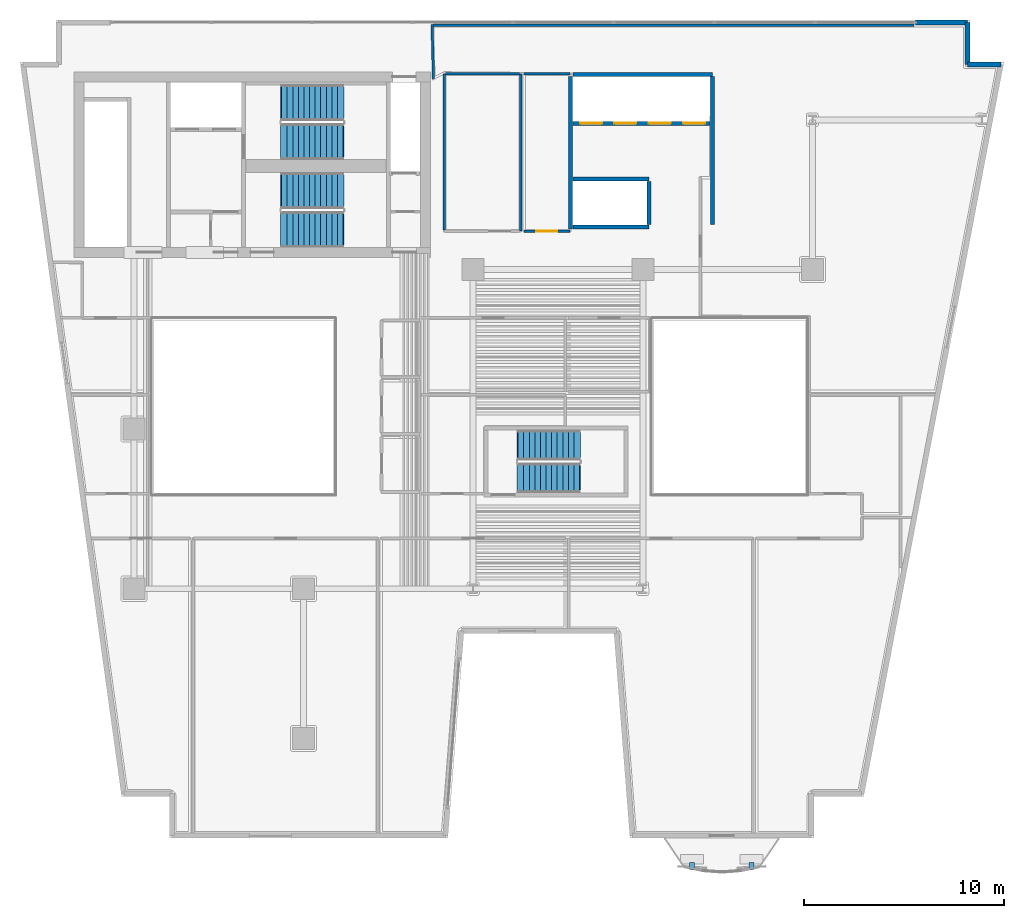
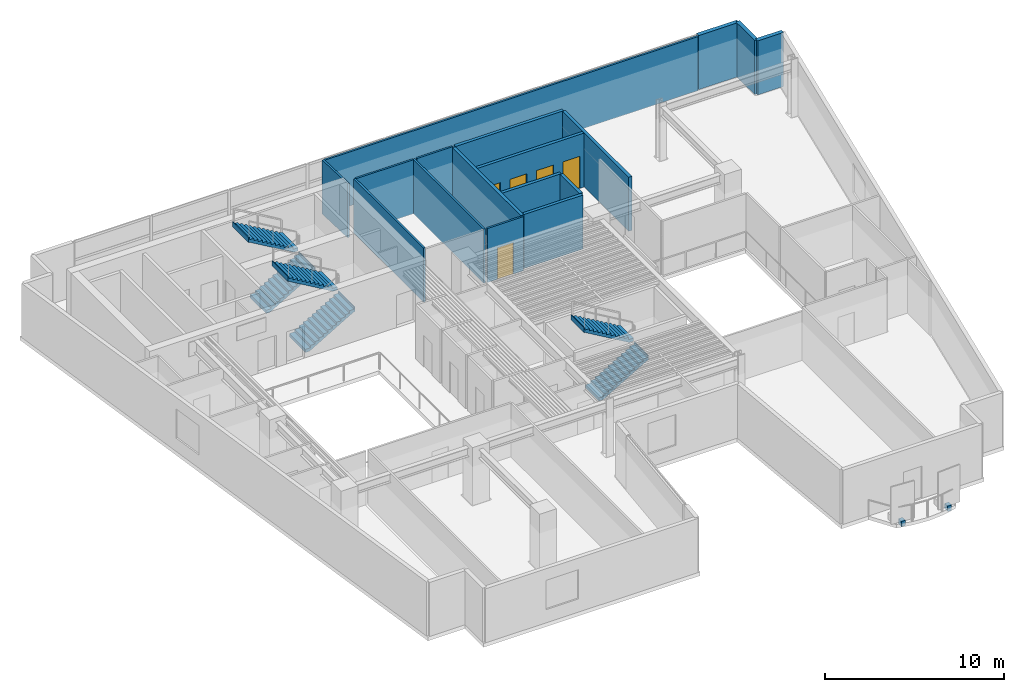
# One storey, part 8 of 13: 17 walls, 6 stair flights, 5 doors, 2 discrete accessories, 5 openings, 3 elements without a shape of their own.
"""IFC4 building model written with IfcOpenShell, lengths in metres."""

import ifcopenshell
import ifcopenshell.guid

model = None  # the IFC model being written
_history = None  # IfcOwnerHistory: only IFC2X3 demands one
_inside = {}  # id of a spatial element -> (the spatial element, [elements in it])
_under = {}  # id of a project, library or spatial element -> (it, [spatial elements below it])
_declared = {}  # id of a project -> (the project, [libraries it declares])
_typed = {}  # id of a type object -> (the type object, [elements of that type])
_made_of = {}  # id of a material, layer set ... -> (it, [elements and type objects made of it])


def new_model(schema):
    """Start an empty IFC model of exactly this schema.

    Asked for "IFC4X3", IfcOpenShell would pick the latest addendum, in which some entities
    have other attributes; the version numbers below select the first issue.
    IFC2X3 requires an IfcOwnerHistory on every rooted entity: one is made here for all.
    """
    global model, _history
    if schema == "IFC4X3":
        model = ifcopenshell.file(schema_version=(4, 3, 0, 0))
    else:
        model = ifcopenshell.file(schema=schema)
    _inside.clear()
    _under.clear()
    _declared.clear()
    _typed.clear()
    _made_of.clear()
    _history = None
    if model.schema == "IFC2X3":
        org = make("IfcOrganization", Name="unknown")
        user = make(
            "IfcPersonAndOrganization",
            ThePerson=make("IfcPerson", FamilyName="unknown"),
            TheOrganization=org,
        )
        app = make(
            "IfcApplication",
            ApplicationDeveloper=org,
            Version="unknown",
            ApplicationFullName="unknown",
            ApplicationIdentifier="unknown",
        )
        _history = make(
            "IfcOwnerHistory",
            OwningUser=user,
            OwningApplication=app,
            ChangeAction="ADDED",
            CreationDate=0,
        )
    return model


def make(cls, **values):
    """One entity of the class cls with the attributes given. An attribute that is None is left unset."""
    return model.create_entity(
        cls, **{name: value for name, value in values.items() if value is not None}
    )


def rooted(cls, **values):
    """An entity with a GlobalId (a new one), such as an element, a storey or a relation."""
    return make(cls, GlobalId=ifcopenshell.guid.new(), OwnerHistory=_history, **values)


def si_unit(unit_type, name, prefix=None):
    """IfcSIUnit, for example si_unit("LENGTHUNIT", "METRE", prefix="MILLI")."""
    return make("IfcSIUnit", UnitType=unit_type, Prefix=prefix, Name=name)


def assignment(units):
    """IfcUnitAssignment: the units of a project."""
    return None if units is None else make("IfcUnitAssignment", Units=units)


def point(xyz):
    """IfcCartesianPoint."""
    return None if xyz is None else make("IfcCartesianPoint", Coordinates=xyz)


def direction(xyz):
    """IfcDirection."""
    return None if xyz is None else make("IfcDirection", DirectionRatios=xyz)


def frame(location, z_axis=None, x_axis=None):
    """IfcAxis2Placement3D, a coordinate frame: its origin and axes. An axis left out is left unset."""
    return make(
        "IfcAxis2Placement3D",
        Location=point(location),
        Axis=direction(z_axis),
        RefDirection=direction(x_axis),
    )


def frame_2d(location, x_axis=None):
    """IfcAxis2Placement2D, a coordinate frame in the plane: its origin and x axis."""
    return make(
        "IfcAxis2Placement2D", Location=point(location), RefDirection=direction(x_axis)
    )


def origin():
    """The frame at (0, 0, 0) with its axes left unset."""
    return frame((0.0, 0.0, 0.0))


def origin_2d():
    """The frame at (0, 0) in the plane with its x axis left unset."""
    return frame_2d((0.0, 0.0))


def place(relative_to, where):
    """IfcLocalPlacement: puts the frame where relative to a parent placement (None: the world)."""
    return make(
        "IfcLocalPlacement", PlacementRelTo=relative_to, RelativePlacement=where
    )


def context(
    kind, dimensions, precision=None, world=None, true_north=None, identifier=None
):
    """IfcGeometricRepresentationContext, for example the 3D "Model" context."""
    return make(
        "IfcGeometricRepresentationContext",
        ContextIdentifier=identifier,
        ContextType=kind,
        CoordinateSpaceDimension=dimensions,
        Precision=precision,
        WorldCoordinateSystem=world,
        TrueNorth=true_north,
    )


def subcontext(parent, identifier, kind, view, scale=None):
    """IfcGeometricRepresentationSubContext, for example "Body" below "Model"."""
    return make(
        "IfcGeometricRepresentationSubContext",
        ContextIdentifier=identifier,
        ContextType=kind,
        ParentContext=parent,
        TargetScale=scale,
        TargetView=view,
    )


def project(units=None, contexts=None):
    """IfcProject with its units and contexts."""
    return rooted(
        "IfcProject",
        Name="project",
        RepresentationContexts=contexts,
        UnitsInContext=assignment(units),
    )


def spatial(cls, under=None, at=None, **own):
    """A site, building, storey or space (cls), placed at a placement, below another one or the project."""
    s = rooted(cls, ObjectPlacement=at, **own)
    if under is not None:
        _under.setdefault(under.id(), (under, []))[1].append(s)
    return s


def polyline(points):
    """IfcPolyline through the points."""
    return make("IfcPolyline", Points=[point(p) for p in points])


def profile(cls, at=None, kind="AREA", **sizes):
    """A parametric profile (cls). Its sizes go by their IFC names, for example OverallWidth=200.0."""
    return make(cls, ProfileType=kind, Position=at, **sizes)


def rectangle(**sizes):
    """IfcRectangleProfileDef."""
    return profile("IfcRectangleProfileDef", **sizes)


def outline(outer, holes=None, kind="AREA"):
    """IfcArbitraryClosedProfileDef: a profile drawn as a closed curve; with holes, ...WithVoids."""
    if holes is None:
        return make("IfcArbitraryClosedProfileDef", ProfileType=kind, OuterCurve=outer)
    return make(
        "IfcArbitraryProfileDefWithVoids",
        ProfileType=kind,
        OuterCurve=outer,
        InnerCurves=holes,
    )


def extrude(swept, where, along, depth):
    """IfcExtrudedAreaSolid: the profile swept, set in the frame where, extruded along a direction by depth."""
    return make(
        "IfcExtrudedAreaSolid",
        SweptArea=swept,
        Position=where,
        ExtrudedDirection=direction(along),
        Depth=depth,
    )


def shape(context_of_items, identifier, shape_type, items):
    """IfcShapeRepresentation: the items that make up one representation, for example the "Body"."""
    return make(
        "IfcShapeRepresentation",
        ContextOfItems=context_of_items,
        RepresentationIdentifier=identifier,
        RepresentationType=shape_type,
        Items=items,
    )


def material(Name=None, Category=None):
    """IfcMaterial."""
    return make("IfcMaterial", Name=Name, Category=Category)


def layer(
    of_material, thickness, ventilated=None, Name=None, Category=None, Priority=None
):
    """IfcMaterialLayer: one layer of a wall or slab, of a material (None: an air gap)."""
    return make(
        "IfcMaterialLayer",
        Material=of_material,
        LayerThickness=thickness,
        IsVentilated=ventilated,
        Name=Name,
        Category=Category,
        Priority=Priority,
    )


def layer_set(layers, Name=None):
    """IfcMaterialLayerSet."""
    return make("IfcMaterialLayerSet", MaterialLayers=layers, LayerSetName=Name)


def made_of(thing, what):
    """Note that an element or type object is made of a material, layer set ...; save() writes the relation."""
    if what is not None:
        _made_of.setdefault(what.id(), (what, []))[1].append(thing)
    return thing


def type_object(cls, material=None, **own):
    """A type object (cls), such as IfcWallType, which elements share."""
    return made_of(rooted(cls, **own), material)


def element(
    cls,
    number,
    at=None,
    inside=None,
    cuts=None,
    type_object=None,
    material=None,
    context=None,
    identifier="Body",
    shape_type=None,
    held_by="IfcProductDefinitionShape",
    body=None,
    shapes=None,
    **own,
):
    """One element of the class cls, such as IfcWall. Its Tag is "e" and its number.

    at: its placement. inside: the storey or other place that contains it. cuts: it is an
    opening in that element (IfcRelVoidsElement). A single representation is given by context,
    identifier, shape_type and body (its items); several are given by shapes. held_by: the class
    of the entity that holds the representations. save() writes the other relations.
    """
    e = rooted(cls, Tag="e%d" % number, ObjectPlacement=at, **own)
    if body is not None:
        shapes = [shape(context, identifier, shape_type, body)]
    if shapes is not None:
        e.Representation = make(held_by, Representations=shapes)
    if inside is not None:
        _inside.setdefault(inside.id(), (inside, []))[1].append(e)
    if cuts is not None:
        rooted(
            "IfcRelVoidsElement", RelatingBuildingElement=cuts, RelatedOpeningElement=e
        )
    if type_object is not None:
        _typed.setdefault(type_object.id(), (type_object, []))[1].append(e)
    return made_of(e, material)


def fill(opening, filler):
    """IfcRelFillsElement: the door or window that sits in an opening."""
    return rooted(
        "IfcRelFillsElement",
        RelatingOpeningElement=opening,
        RelatedBuildingElement=filler,
    )


def aggregate(whole, parts):
    """IfcRelAggregates: a whole, such as a stair, and the parts it consists of."""
    return rooted("IfcRelAggregates", RelatingObject=whole, RelatedObjects=parts)


def save(model, path):
    """Write the relations noted so far, then the file.

    IfcRelAggregates (storeys below a building ...), IfcRelContainedInSpatialStructure (elements
    in a storey), IfcRelDefinesByType, IfcRelAssociatesMaterial and IfcRelDeclares: one each for
    every whole, place, type object, material and project.
    """
    for whole, parts in _under.values():
        aggregate(whole, parts)
    for where, things in _inside.values():
        rooted(
            "IfcRelContainedInSpatialStructure",
            RelatedElements=things,
            RelatingStructure=where,
        )
    for kind, things in _typed.values():
        rooted("IfcRelDefinesByType", RelatedObjects=things, RelatingType=kind)
    for what, things in _made_of.values():
        rooted("IfcRelAssociatesMaterial", RelatedObjects=things, RelatingMaterial=what)
    for by, libraries in _declared.values():
        rooted("IfcRelDeclares", RelatingContext=by, RelatedDefinitions=libraries)
    model.write(path)


model = new_model("IFC4")

# Units and contexts
model_context = context("Model", 3, precision=1e-05, world=origin(), true_north=direction((0.0, 1.0)))
body_context = subcontext(model_context, "Body", "Model", "MODEL_VIEW")
ifc_project = project(units=[si_unit("LENGTHUNIT", "METRE"), si_unit("AREAUNIT", "SQUARE_METRE"), si_unit("VOLUMEUNIT", "CUBIC_METRE"), si_unit("PLANEANGLEUNIT", "RADIAN"), si_unit("MASSUNIT", "GRAM", prefix="KILO")], contexts=[model_context])

# Site, building, storey
site_placement = place(None, origin())
site = spatial("IfcSite", under=ifc_project, at=site_placement, CompositionType="ELEMENT")
building_placement = place(site_placement, origin())
building = spatial("IfcBuilding", under=site, at=building_placement, Name="Caeloran Harvest Quay", CompositionType="ELEMENT")
storey_placement = place(building_placement, frame((0.0, 0.0, 158.800048828125)))
storey = spatial("IfcBuildingStorey", under=building, at=storey_placement, Name="L37", CompositionType="ELEMENT", Elevation=158.800048828125)

# Walls
ifc_material_1 = material(Name="Precast concrete C50/60", Category="concrete")
ifc_layer_1 = layer(ifc_material_1, 0.260009765625, Name="Precast concrete C50/60")
ifc_layer_set_1 = layer_set([ifc_layer_1], Name="Precast concrete C50/60")
wall_type_1 = type_object("IfcWallType", Name="ENV-WALL-EW-260", PredefinedType="STANDARD", material=ifc_layer_set_1)
wall_1_placement = place(storey_placement, frame((47.669921875, 43.3701171875, 0.0), z_axis=(0.0, 0.0, 1.0), x_axis=(1.0, 0.0, 0.0)))
element("IfcWall", 1, at=wall_1_placement, inside=storey, type_object=wall_type_1, Name="L37 Exterior Facade Corner Pier Wall 6B", PredefinedType="STANDARD", context=body_context, shape_type="SweptSolid", body=[
    extrude(rectangle(XDim=2.60009765625, YDim=0.260009765625, at=frame_2d((1.300048828125, 0.0))), origin(), (0.0, 0.0, 1.0), 3.68994140625),
])
wall_2_placement = place(storey_placement, frame((50.27001953125, 43.3701171875, 0.0), z_axis=(0.0, 0.0, 1.0), x_axis=(0.0, -1.0, 0.0)))
element("IfcWall", 2, at=wall_2_placement, inside=storey, type_object=wall_type_1, Name="L37 Exterior Precast Concrete Facade Wall 7", PredefinedType="STANDARD", context=body_context, shape_type="SweptSolid", body=[
    extrude(rectangle(XDim=2.10009765625, YDim=0.260009765625, at=frame_2d((1.050048828125, 0.0))), origin(), (0.0, 0.0, 1.0), 3.68994140625),
])
wall_3_placement = place(storey_placement, frame((50.27001953125, 41.27001953125, 0.0), z_axis=(0.0, 0.0, 1.0), x_axis=(1.0, 0.0, 0.0)))
element("IfcWall", 3, at=wall_3_placement, inside=storey, type_object=wall_type_1, Name="L37 Exterior Precast Concrete Facade Wall 8", PredefinedType="STANDARD", context=body_context, shape_type="SweptSolid", body=[
    extrude(rectangle(XDim=1.671875, YDim=0.260009765625, at=frame_2d((0.8359375, 0.0))), origin(), (0.0, 0.0, 1.0), 3.68994140625),
])
ifc_material_2 = material(Name="Twin-Stud Mineral-Wool Acoustic Gypsum Partition", Category="gypsum")
ifc_layer_2 = layer(ifc_material_2, 0.125, Name="Twin-Stud Mineral-Wool Acoustic Gypsum Partition")
ifc_layer_set_2 = layer_set([ifc_layer_2], Name="Twin-Stud Mineral-Wool Acoustic Gypsum Partition")
wall_type_2 = type_object("IfcWallType", Name="INT-WALL-PW-125", PredefinedType="PARTITIONING", material=ifc_layer_set_2)
wall_4_placement = place(storey_placement, frame((27.8798828125, 40.800048828125, 0.0), z_axis=(0.0, 0.0, 1.0), x_axis=(0.0, -1.0, 0.0)))
element("IfcWall", 4, at=wall_4_placement, inside=storey, type_object=wall_type_2, Name="L37 Crop Phenotyping West Laboratory Partition Wall", PredefinedType="PARTITIONING", context=body_context, shape_type="SweptSolid", body=[
    extrude(rectangle(XDim=7.880126953125, YDim=0.125, at=frame_2d((3.93994140625, 0.0))), origin(), (0.0, 0.0, 1.0), 3.68994140625),
])
wall_5_placement = place(storey_placement, frame((24.050048828125, 32.987548828125, 0.0), z_axis=(0.0, 0.0, 1.0), x_axis=(0.0, 1.0, 0.0)))
element("IfcWall", 5, at=wall_5_placement, inside=storey, type_object=wall_type_2, Name="L37 Crop Phenotyping West Laboratory Partition Wall", PredefinedType="PARTITIONING", context=body_context, shape_type="SweptSolid", body=[
    extrude(rectangle(XDim=7.8125, YDim=0.125, at=frame_2d((3.90625, 0.0))), origin(), (0.0, 0.0, 1.0), 3.68994140625),
])
wall_6_placement = place(storey_placement, frame((24.117431640625, 40.800048828125, 0.0), z_axis=(0.0, 0.0, 1.0), x_axis=(1.0, 0.0, 0.0)))
element("IfcWall", 6, at=wall_6_placement, inside=storey, type_object=wall_type_2, Name="L37 Crop Phenotyping West Laboratory Partition Wall", PredefinedType="PARTITIONING", context=body_context, shape_type="SweptSolid", body=[
    extrude(rectangle(XDim=3.695068359375, YDim=0.125, at=frame_2d((1.84765625, 0.0))), origin(), (0.0, 0.0, 1.0), 3.68994140625),
])

# Wall, opening, door
wall_7_placement = place(storey_placement, frame((30.35009765625, 32.919921875, 0.0), z_axis=(0.0, 0.0, 1.0), x_axis=(-1.0, 0.0, 0.0)))
wall_7 = element("IfcWall", 7, at=wall_7_placement, inside=storey, type_object=wall_type_2, Name="L37 Genomics Sequencing East Studio Partition Wall", PredefinedType="PARTITIONING", context=body_context, shape_type="SweptSolid", body=[
    extrude(rectangle(XDim=2.31005859375, YDim=0.125, at=frame_2d((1.155029296875, 0.0))), origin(), (0.0, 0.0, 1.0), 3.68994140625),
])
opening_1_placement = place(wall_7_placement, frame((0.6298828125, 0.0, 0.0)))
opening_1 = element("IfcOpeningElement", 8, at=opening_1_placement, cuts=wall_7, Name="Opening ID-03", PredefinedType="OPENING", context=body_context, shape_type="SweptSolid", body=[
    extrude(rectangle(XDim=1.050048828125, YDim=2.14990234375, at=frame_2d((0.52490234375, 1.074951171875))), frame((0.0, 0.072509765625, 0.0), z_axis=(0.0, -1.0, 0.0), x_axis=(1.0, 0.0, 0.0)), (0.0, 0.0, 1.0), 0.14501953125),
])
ifc_material_3 = material(Name="FSC Solid-Core Oak Timber Leaf", Category="wood")
door_type_1 = type_object("IfcDoorType", Name="INTDOOR-ID-03", OperationType="NOTDEFINED", PredefinedType="DOOR", material=ifc_material_3)
door_1_placement = place(opening_1_placement, origin())
door_1 = element("IfcDoor", 9, at=door_1_placement, inside=storey, type_object=door_type_1, Name="L37 Genomics Sequencing East Studio Access Door", OperationType="SINGLE_SWING_LEFT", OverallHeight=2.14990234375, OverallWidth=1.050048828125, PredefinedType="DOOR", context=body_context, shape_type="SweptSolid", body=[
    extrude(rectangle(XDim=1.050048828125, YDim=2.14990234375, at=frame_2d((0.52490234375, 1.074951171875))), frame((0.0, 0.02490234375, 0.0), z_axis=(0.0, -1.0, 0.0), x_axis=(1.0, 0.0, 0.0)), (0.0, 0.0, 1.0), 0.050048828125),
])
fill(opening_1, door_1)

# Walls
wall_8_placement = place(storey_placement, frame((28.0400390625, 40.800048828125, 0.0), z_axis=(0.0, 0.0, 1.0), x_axis=(1.0, 0.0, 0.0)))
element("IfcWall", 10, at=wall_8_placement, inside=storey, type_object=wall_type_2, Name="L37 Genomics Sequencing East Studio Partition Wall", PredefinedType="PARTITIONING", context=body_context, shape_type="SweptSolid", body=[
    extrude(rectangle(XDim=2.31005859375, YDim=0.125, at=frame_2d((1.155029296875, 0.0))), origin(), (0.0, 0.0, 1.0), 3.68994140625),
])
wall_9_placement = place(storey_placement, frame((23.510009765625, 40.555908203125, 0.0), z_axis=(0.0, 0.0, 1.0), x_axis=(-0.02567646332, 0.999670305266, 0.0)))
element("IfcWall", 11, at=wall_9_placement, inside=storey, type_object=wall_type_2, Name="Hospitality Catering Kitchen 12 Partition Wall", PredefinedType="PARTITIONING", context=body_context, shape_type="SweptSolid", body=[
    extrude(rectangle(XDim=2.7099609375, YDim=0.125, at=frame_2d((1.35498046875, 0.0))), origin(), (0.0, 0.0, 1.0), 3.68994140625),
])
wall_10_placement = place(storey_placement, frame((23.508544921875, 43.239990234375, 0.0), z_axis=(0.0, 0.0, 1.0), x_axis=(1.0, 0.0, 0.0)))
element("IfcWall", 12, at=wall_10_placement, inside=storey, type_object=wall_type_2, Name="Hospitality Catering Kitchen 12 Partition Wall", PredefinedType="PARTITIONING", context=body_context, shape_type="SweptSolid", body=[
    extrude(rectangle(XDim=24.0869140625, YDim=0.125, at=frame_2d((12.04345703125, 0.0))), origin(), (0.0, 0.0, 1.0), 3.68994140625),
])
ifc_material_4 = material(Name="Concrete C50/60", Category="concrete")
ifc_layer_3 = layer(ifc_material_4, 0.199951171875, Name="Concrete C50/60")
ifc_layer_set_3 = layer_set([ifc_layer_3], Name="Concrete C50/60")
wall_type_3 = type_object("IfcWallType", Name="INT-WALL-SW-200", PredefinedType="PARTITIONING", material=ifc_layer_set_3)
wall_11_placement = place(storey_placement, frame((30.3798828125, 33.02001953125, 0.0), z_axis=(0.0, 0.0, 1.0), x_axis=(0.0, 1.0, 0.0)))
element("IfcWall", 13, at=wall_11_placement, inside=storey, type_object=wall_type_3, Name="L37 Bank 2 and Shuttle Lift Shaft West Wall", PredefinedType="PARTITIONING", context=body_context, shape_type="SweptSolid", body=[
    extrude(rectangle(XDim=7.639892578125, YDim=0.199951171875, at=frame_2d((3.81982421875, 0.0))), origin(), (0.0, 0.0, 1.0), 3.68994140625),
])
wall_12_placement = place(storey_placement, frame((30.5, 40.780029296875, 0.0), z_axis=(0.0, 0.0, 1.0), x_axis=(1.0, 0.0, 0.0)))
element("IfcWall", 14, at=wall_12_placement, inside=storey, type_object=wall_type_3, Name="L37 Bank 2 Lift Shaft North Wall", PredefinedType="PARTITIONING", context=body_context, shape_type="SweptSolid", body=[
    extrude(rectangle(XDim=6.97998046875, YDim=0.199951171875, at=frame_2d((3.489990234375, 0.0))), origin(), (0.0, 0.0, 1.0), 3.68994140625),
])
wall_13_placement = place(storey_placement, frame((37.47998046875, 33.239990234375, 0.0), z_axis=(0.0, 0.0, 1.0), x_axis=(0.0, 1.0, 0.0)))
element("IfcWall", 15, at=wall_13_placement, inside=storey, type_object=wall_type_3, Name="L37 Bank 2 Lift Shaft East Wall", PredefinedType="PARTITIONING", context=body_context, shape_type="SweptSolid", body=[
    extrude(rectangle(XDim=7.419921875, YDim=0.199951171875, at=frame_2d((3.7099609375, 0.0))), origin(), (0.0, 0.0, 1.0), 3.68994140625),
])

# Wall, openings, doors
wall_14_placement = place(storey_placement, frame((30.5, 38.320068359375, 0.0), z_axis=(0.0, 0.0, 1.0), x_axis=(1.0, 0.0, 0.0)))
wall_14 = element("IfcWall", 16, at=wall_14_placement, inside=storey, type_object=wall_type_3, Name="L37 Bank 2 Lift Landing Front Wall", PredefinedType="PARTITIONING", context=body_context, shape_type="SweptSolid", body=[
    extrude(rectangle(XDim=6.860107421875, YDim=0.199951171875, at=frame_2d((3.43017578125, 0.0))), origin(), (0.0, 0.0, 1.0), 3.68994140625),
])
opening_2_placement = place(wall_14_placement, frame((0.360107421875, 0.0, 0.0)))
opening_2 = element("IfcOpeningElement", 17, at=opening_2_placement, cuts=wall_14, Name="Opening LD-01", PredefinedType="OPENING", context=body_context, shape_type="SweptSolid", body=[
    extrude(rectangle(XDim=1.10009765625, YDim=2.199951171875, at=frame_2d((0.550048828125, 1.10009765625))), frame((0.0, 0.10986328125, 0.0), z_axis=(0.0, -1.0, 0.0), x_axis=(1.0, 0.0, 0.0)), (0.0, 0.0, 1.0), 0.219970703125),
])
opening_3_placement = place(wall_14_placement, frame((2.080078125, 0.0, 0.0)))
opening_3 = element("IfcOpeningElement", 18, at=opening_3_placement, cuts=wall_14, Name="Opening LD-01", PredefinedType="OPENING", context=body_context, shape_type="SweptSolid", body=[
    extrude(rectangle(XDim=1.10009765625, YDim=2.199951171875, at=frame_2d((0.550048828125, 1.10009765625))), frame((0.0, 0.10986328125, 0.0), z_axis=(0.0, -1.0, 0.0), x_axis=(1.0, 0.0, 0.0)), (0.0, 0.0, 1.0), 0.219970703125),
])
opening_4_placement = place(wall_14_placement, frame((3.800048828125, 0.0, 0.0)))
opening_4 = element("IfcOpeningElement", 19, at=opening_4_placement, cuts=wall_14, Name="Opening LD-01", PredefinedType="OPENING", context=body_context, shape_type="SweptSolid", body=[
    extrude(rectangle(XDim=1.10009765625, YDim=2.199951171875, at=frame_2d((0.550048828125, 1.10009765625))), frame((0.0, 0.10986328125, 0.0), z_axis=(0.0, -1.0, 0.0), x_axis=(1.0, 0.0, 0.0)), (0.0, 0.0, 1.0), 0.219970703125),
])
opening_5_placement = place(wall_14_placement, frame((5.52001953125, 0.0, 0.0)))
opening_5 = element("IfcOpeningElement", 20, at=opening_5_placement, cuts=wall_14, Name="Opening LD-01", PredefinedType="OPENING", context=body_context, shape_type="SweptSolid", body=[
    extrude(rectangle(XDim=1.10009765625, YDim=2.199951171875, at=frame_2d((0.550048828125, 1.10009765625))), frame((0.0, 0.10986328125, 0.0), z_axis=(0.0, -1.0, 0.0), x_axis=(1.0, 0.0, 0.0)), (0.0, 0.0, 1.0), 0.219970703125),
])
ifc_material_5 = material(Name="Stainless Steel Grade 316", Category="steel")
door_type_2 = type_object("IfcDoorType", Name="INTDOOR-LD-01", OperationType="NOTDEFINED", PredefinedType="DOOR", material=ifc_material_5)
door_2_placement = place(opening_2_placement, origin())
door_2 = element("IfcDoor", 21, at=door_2_placement, inside=storey, type_object=door_type_2, Name="Lift P2-1 Sliding Landing Door (L37)", OperationType="DOUBLE_DOOR_SLIDING", OverallHeight=2.199951171875, OverallWidth=1.10009765625, PredefinedType="DOOR", context=body_context, shape_type="SweptSolid", body=[
    extrude(rectangle(XDim=1.10009765625, YDim=2.199951171875, at=frame_2d((0.550048828125, 1.10009765625))), frame((0.0, 0.02490234375, 0.0), z_axis=(0.0, -1.0, 0.0), x_axis=(1.0, 0.0, 0.0)), (0.0, 0.0, 1.0), 0.050048828125),
])
fill(opening_2, door_2)
door_3_placement = place(opening_3_placement, origin())
door_3 = element("IfcDoor", 22, at=door_3_placement, inside=storey, type_object=door_type_2, Name="Lift P2-2 Sliding Landing Door (L37)", OperationType="DOUBLE_DOOR_SLIDING", OverallHeight=2.199951171875, OverallWidth=1.10009765625, PredefinedType="DOOR", context=body_context, shape_type="SweptSolid", body=[
    extrude(rectangle(XDim=1.10009765625, YDim=2.199951171875, at=frame_2d((0.550048828125, 1.10009765625))), frame((0.0, 0.02490234375, 0.0), z_axis=(0.0, -1.0, 0.0), x_axis=(1.0, 0.0, 0.0)), (0.0, 0.0, 1.0), 0.050048828125),
])
fill(opening_3, door_3)
door_4_placement = place(opening_4_placement, origin())
door_4 = element("IfcDoor", 23, at=door_4_placement, inside=storey, type_object=door_type_2, Name="Lift P2-3 Sliding Landing Door (L37)", OperationType="DOUBLE_DOOR_SLIDING", OverallHeight=2.199951171875, OverallWidth=1.10009765625, PredefinedType="DOOR", context=body_context, shape_type="SweptSolid", body=[
    extrude(rectangle(XDim=1.10009765625, YDim=2.199951171875, at=frame_2d((0.550048828125, 1.10009765625))), frame((0.0, 0.02490234375, 0.0), z_axis=(0.0, -1.0, 0.0), x_axis=(1.0, 0.0, 0.0)), (0.0, 0.0, 1.0), 0.050048828125),
])
fill(opening_4, door_4)
door_5_placement = place(opening_5_placement, origin())
door_5 = element("IfcDoor", 24, at=door_5_placement, inside=storey, type_object=door_type_2, Name="Lift P2-4 Sliding Landing Door (L37)", OperationType="DOUBLE_DOOR_SLIDING", OverallHeight=2.199951171875, OverallWidth=1.10009765625, PredefinedType="DOOR", context=body_context, shape_type="SweptSolid", body=[
    extrude(rectangle(XDim=1.10009765625, YDim=2.199951171875, at=frame_2d((0.550048828125, 1.10009765625))), frame((0.0, 0.02490234375, 0.0), z_axis=(0.0, -1.0, 0.0), x_axis=(1.0, 0.0, 0.0)), (0.0, 0.0, 1.0), 0.050048828125),
])
fill(opening_5, door_5)

# Walls
for number, where, z_axis, x_axis, name in (
    (25, (30.5, 35.530029296875, 0.0), (0.0, 0.0, 1.0), (1.0, 0.0, 0.0), "L37 Shuttle Lift Landing Front Wall"),
    (26, (30.5, 33.1201171875, 0.0), (0.0, 0.0, 1.0), (1.0, 0.0, 0.0), "L37 Shuttle Lift Shaft South Wall"),
):
    element("IfcWall", number, at=place(storey_placement, frame(where, z_axis=z_axis, x_axis=x_axis)), inside=storey, type_object=wall_type_3, Name=name, PredefinedType="PARTITIONING", context=body_context, shape_type="SweptSolid", body=[
        extrude(rectangle(XDim=3.800048828125, YDim=0.199951171875, at=frame_2d((1.89990234375, 0.0))), origin(), (0.0, 0.0, 1.0), 3.68994140625),
    ])
wall_15_placement = place(storey_placement, frame((34.300048828125, 33.239990234375, 0.0), z_axis=(0.0, 0.0, 1.0), x_axis=(0.0, 1.0, 0.0)))
element("IfcWall", 27, at=wall_15_placement, inside=storey, type_object=wall_type_3, Name="L37 Shuttle Lift Shaft East Wall", PredefinedType="PARTITIONING", context=body_context, shape_type="SweptSolid", body=[
    extrude(rectangle(XDim=2.169921875, YDim=0.199951171875, at=frame_2d((1.0849609375, 0.0))), origin(), (0.0, 0.0, 1.0), 3.68994140625),
])

# Stair, stair flights
stair_type_1 = type_object("IfcStairType", Name="STAIR-STC-180", PredefinedType="HALF_TURN_STAIR", material=ifc_material_4)
stair_1_placement = place(storey_placement, origin())
stair_1 = element("IfcStair", 28, at=stair_1_placement, inside=storey, type_object=stair_type_1, Name="L37 Core Pressurized Exit Stair ST-C1", PredefinedType="HALF_TURN_STAIR")
stair_flight_type_1 = type_object("IfcStairFlightType", Name="FLIGHT-STC-180", PredefinedType="STRAIGHT", material=ifc_material_4)
stair_flight_1_placement = place(storey_placement, frame((15.89990234375, 37.39990234375, 0.0), z_axis=(0.0, 0.0, 1.0), x_axis=(1.0, 0.0, 0.0)))
stair_flight_1 = element("IfcStairFlight", 29, at=stair_flight_1_placement, type_object=stair_flight_type_1, Name="ST-C1 flight 1", NumberOfRisers=12, NumberOfTreads=11, PredefinedType="STRAIGHT", RiserHeight=0.164583333, TreadLength=0.28, context=body_context, shape_type="SweptSolid", body=[
    extrude(outline(polyline([(-0.054931640625, -0.044921875), (-0.054931640625, -0.031982421875), (-0.054931640625, -0.018798828125), (-0.054931640625, -0.005615234375), (-0.054931640625, 0.00732421875), (-0.054931640625, 0.0205078125), (-0.054931640625, 0.03369140625), (-0.054931640625, 0.046630859375), (-0.054931640625, 0.059814453125), (-0.054931640625, 0.072998046875), (-0.054931640625, 0.0859375), (-0.054931640625, 0.09912109375), (-0.054931640625, 0.1123046875), (-0.054931640625, 0.125244140625), (-0.054931640625, 0.138427734375), (-0.054931640625, 0.1513671875), (-0.054931640625, 0.16455078125), (0.280029296875, 0.16455078125), (0.280029296875, 0.3291015625), (0.56005859375, 0.3291015625), (0.56005859375, 0.49365234375), (0.840087890625, 0.49365234375), (0.840087890625, 0.658447265625), (1.1201171875, 0.658447265625), (1.1201171875, 0.822998046875), (1.39990234375, 0.822998046875), (1.39990234375, 0.987548828125), (1.679931640625, 0.987548828125), (1.679931640625, 1.152099609375), (1.9599609375, 1.152099609375), (1.9599609375, 1.316650390625), (2.239990234375, 1.316650390625), (2.239990234375, 1.481201171875), (2.52001953125, 1.481201171875), (2.52001953125, 1.645751953125), (2.800048828125, 1.645751953125), (2.800048828125, 1.810302734375), (3.080078125, 1.810302734375), (3.080078125, 1.97509765625), (3.135009765625, 1.97509765625), (3.135009765625, 1.953857421875), (3.135009765625, 1.9326171875), (3.135009765625, 1.91162109375), (3.135009765625, 1.890380859375), (3.135009765625, 1.869140625), (3.135009765625, 1.84814453125), (3.135009765625, 1.826904296875), (3.135009765625, 1.8056640625), (3.135009765625, 1.78466796875), (3.135009765625, 1.763427734375), (3.135009765625, 1.7421875), (3.135009765625, 1.72119140625), (3.135009765625, 1.699951171875), (3.135009765625, 1.678955078125), (3.135009765625, 1.65771484375), (3.135009765625, 1.636474609375), (3.080078125, 1.636474609375), (0.21923828125, -0.044921875), (-0.054931640625, -0.044921875)])), frame((0.0, 0.89990234375, 0.0), z_axis=(0.0, -1.0, 0.0), x_axis=(1.0, 0.0, 0.0)), (0.0, 0.0, 1.0), 1.800048828125),
])
stair_flight_2_placement = place(storey_placement, frame((18.97998046875, 39.35009765625, 1.974853515625), z_axis=(0.0, 0.0, 1.0), x_axis=(-1.0, 0.0, 0.0)))
stair_flight_2 = element("IfcStairFlight", 30, at=stair_flight_2_placement, type_object=stair_flight_type_1, Name="ST-C1 flight 2", NumberOfRisers=12, NumberOfTreads=11, PredefinedType="STRAIGHT", RiserHeight=0.164583333, TreadLength=0.28, context=body_context, shape_type="SweptSolid", body=[
    extrude(outline(polyline([(-0.054931640625, -0.044921875), (-0.054931640625, -0.031982421875), (-0.054931640625, -0.018798828125), (-0.054931640625, -0.005615234375), (-0.054931640625, 0.00732421875), (-0.054931640625, 0.0205078125), (-0.054931640625, 0.03369140625), (-0.054931640625, 0.046630859375), (-0.054931640625, 0.059814453125), (-0.054931640625, 0.072998046875), (-0.054931640625, 0.0859375), (-0.054931640625, 0.09912109375), (-0.054931640625, 0.1123046875), (-0.054931640625, 0.125244140625), (-0.054931640625, 0.138427734375), (-0.054931640625, 0.1513671875), (-0.054931640625, 0.16455078125), (0.280029296875, 0.16455078125), (0.280029296875, 0.3291015625), (0.56005859375, 0.3291015625), (0.56005859375, 0.49365234375), (0.840087890625, 0.49365234375), (0.840087890625, 0.658447265625), (1.1201171875, 0.658447265625), (1.1201171875, 0.822998046875), (1.39990234375, 0.822998046875), (1.39990234375, 0.987548828125), (1.679931640625, 0.987548828125), (1.679931640625, 1.152099609375), (1.9599609375, 1.152099609375), (1.9599609375, 1.316650390625), (2.239990234375, 1.316650390625), (2.239990234375, 1.481201171875), (2.52001953125, 1.481201171875), (2.52001953125, 1.645751953125), (2.800048828125, 1.645751953125), (2.800048828125, 1.810302734375), (3.080078125, 1.810302734375), (3.080078125, 1.97509765625), (3.135009765625, 1.97509765625), (3.135009765625, 1.953857421875), (3.135009765625, 1.9326171875), (3.135009765625, 1.91162109375), (3.135009765625, 1.890380859375), (3.135009765625, 1.869140625), (3.135009765625, 1.84814453125), (3.135009765625, 1.826904296875), (3.135009765625, 1.8056640625), (3.135009765625, 1.78466796875), (3.135009765625, 1.763427734375), (3.135009765625, 1.7421875), (3.135009765625, 1.72119140625), (3.135009765625, 1.699951171875), (3.135009765625, 1.678955078125), (3.135009765625, 1.65771484375), (3.135009765625, 1.636474609375), (3.080078125, 1.636474609375), (0.21923828125, -0.044921875), (-0.054931640625, -0.044921875)])), frame((0.0, 0.89990234375, 0.0), z_axis=(0.0, -1.0, 0.0), x_axis=(1.0, 0.0, 0.0)), (0.0, 0.0, 1.0), 1.800048828125),
])
aggregate(stair_1, [stair_flight_1, stair_flight_2])

stair_2_placement = place(storey_placement, origin())
stair_2 = element("IfcStair", 31, at=stair_2_placement, inside=storey, type_object=stair_type_1, Name="L37 Core Pressurized Exit Stair ST-C2", PredefinedType="HALF_TURN_STAIR")
stair_flight_3_placement = place(storey_placement, frame((15.89990234375, 33.0, 0.0), z_axis=(0.0, 0.0, 1.0), x_axis=(1.0, 0.0, 0.0)))
stair_flight_3 = element("IfcStairFlight", 32, at=stair_flight_3_placement, type_object=stair_flight_type_1, Name="ST-C2 flight 1", NumberOfRisers=12, NumberOfTreads=11, PredefinedType="STRAIGHT", RiserHeight=0.164583333, TreadLength=0.28, context=body_context, shape_type="SweptSolid", body=[
    extrude(outline(polyline([(-0.054931640625, -0.044921875), (-0.054931640625, -0.031982421875), (-0.054931640625, -0.018798828125), (-0.054931640625, -0.005615234375), (-0.054931640625, 0.00732421875), (-0.054931640625, 0.0205078125), (-0.054931640625, 0.03369140625), (-0.054931640625, 0.046630859375), (-0.054931640625, 0.059814453125), (-0.054931640625, 0.072998046875), (-0.054931640625, 0.0859375), (-0.054931640625, 0.09912109375), (-0.054931640625, 0.1123046875), (-0.054931640625, 0.125244140625), (-0.054931640625, 0.138427734375), (-0.054931640625, 0.1513671875), (-0.054931640625, 0.16455078125), (0.280029296875, 0.16455078125), (0.280029296875, 0.3291015625), (0.56005859375, 0.3291015625), (0.56005859375, 0.49365234375), (0.840087890625, 0.49365234375), (0.840087890625, 0.658447265625), (1.1201171875, 0.658447265625), (1.1201171875, 0.822998046875), (1.39990234375, 0.822998046875), (1.39990234375, 0.987548828125), (1.679931640625, 0.987548828125), (1.679931640625, 1.152099609375), (1.9599609375, 1.152099609375), (1.9599609375, 1.316650390625), (2.239990234375, 1.316650390625), (2.239990234375, 1.481201171875), (2.52001953125, 1.481201171875), (2.52001953125, 1.645751953125), (2.800048828125, 1.645751953125), (2.800048828125, 1.810302734375), (3.080078125, 1.810302734375), (3.080078125, 1.97509765625), (3.135009765625, 1.97509765625), (3.135009765625, 1.953857421875), (3.135009765625, 1.9326171875), (3.135009765625, 1.91162109375), (3.135009765625, 1.890380859375), (3.135009765625, 1.869140625), (3.135009765625, 1.84814453125), (3.135009765625, 1.826904296875), (3.135009765625, 1.8056640625), (3.135009765625, 1.78466796875), (3.135009765625, 1.763427734375), (3.135009765625, 1.7421875), (3.135009765625, 1.72119140625), (3.135009765625, 1.699951171875), (3.135009765625, 1.678955078125), (3.135009765625, 1.65771484375), (3.135009765625, 1.636474609375), (3.080078125, 1.636474609375), (0.21923828125, -0.044921875), (-0.054931640625, -0.044921875)])), frame((0.0, 0.89990234375, 0.0), z_axis=(0.0, -1.0, 0.0), x_axis=(1.0, 0.0, 0.0)), (0.0, 0.0, 1.0), 1.800048828125),
])
stair_flight_4_placement = place(storey_placement, frame((18.97998046875, 34.949951171875, 1.974853515625), z_axis=(0.0, 0.0, 1.0), x_axis=(-1.0, 0.0, 0.0)))
stair_flight_4 = element("IfcStairFlight", 33, at=stair_flight_4_placement, type_object=stair_flight_type_1, Name="ST-C2 flight 2", NumberOfRisers=12, NumberOfTreads=11, PredefinedType="STRAIGHT", RiserHeight=0.164583333, TreadLength=0.28, context=body_context, shape_type="SweptSolid", body=[
    extrude(outline(polyline([(-0.054931640625, -0.044921875), (-0.054931640625, -0.031982421875), (-0.054931640625, -0.018798828125), (-0.054931640625, -0.005615234375), (-0.054931640625, 0.00732421875), (-0.054931640625, 0.0205078125), (-0.054931640625, 0.03369140625), (-0.054931640625, 0.046630859375), (-0.054931640625, 0.059814453125), (-0.054931640625, 0.072998046875), (-0.054931640625, 0.0859375), (-0.054931640625, 0.09912109375), (-0.054931640625, 0.1123046875), (-0.054931640625, 0.125244140625), (-0.054931640625, 0.138427734375), (-0.054931640625, 0.1513671875), (-0.054931640625, 0.16455078125), (0.280029296875, 0.16455078125), (0.280029296875, 0.3291015625), (0.56005859375, 0.3291015625), (0.56005859375, 0.49365234375), (0.840087890625, 0.49365234375), (0.840087890625, 0.658447265625), (1.1201171875, 0.658447265625), (1.1201171875, 0.822998046875), (1.39990234375, 0.822998046875), (1.39990234375, 0.987548828125), (1.679931640625, 0.987548828125), (1.679931640625, 1.152099609375), (1.9599609375, 1.152099609375), (1.9599609375, 1.316650390625), (2.239990234375, 1.316650390625), (2.239990234375, 1.481201171875), (2.52001953125, 1.481201171875), (2.52001953125, 1.645751953125), (2.800048828125, 1.645751953125), (2.800048828125, 1.810302734375), (3.080078125, 1.810302734375), (3.080078125, 1.97509765625), (3.135009765625, 1.97509765625), (3.135009765625, 1.953857421875), (3.135009765625, 1.9326171875), (3.135009765625, 1.91162109375), (3.135009765625, 1.890380859375), (3.135009765625, 1.869140625), (3.135009765625, 1.84814453125), (3.135009765625, 1.826904296875), (3.135009765625, 1.8056640625), (3.135009765625, 1.78466796875), (3.135009765625, 1.763427734375), (3.135009765625, 1.7421875), (3.135009765625, 1.72119140625), (3.135009765625, 1.699951171875), (3.135009765625, 1.678955078125), (3.135009765625, 1.65771484375), (3.135009765625, 1.636474609375), (3.080078125, 1.636474609375), (0.21923828125, -0.044921875), (-0.054931640625, -0.044921875)])), frame((0.0, 0.89990234375, 0.0), z_axis=(0.0, -1.0, 0.0), x_axis=(1.0, 0.0, 0.0)), (0.0, 0.0, 1.0), 1.800048828125),
])
aggregate(stair_2, [stair_flight_3, stair_flight_4])

stair_type_2 = type_object("IfcStairType", Name="STAIR-STW-150", PredefinedType="HALF_TURN_STAIR", material=ifc_material_4)
stair_3_placement = place(storey_placement, origin())
stair_3 = element("IfcStair", 34, at=stair_3_placement, inside=storey, type_object=stair_type_2, Name="L37 East Wing Protected Exit Stair ST-W1", PredefinedType="HALF_TURN_STAIR")
stair_flight_type_2 = type_object("IfcStairFlightType", Name="FLIGHT-STW-150", PredefinedType="STRAIGHT", material=ifc_material_4)
stair_flight_5_placement = place(storey_placement, frame((27.75, 20.550048828125, 0.0), z_axis=(0.0, 0.0, 1.0), x_axis=(1.0, 0.0, 0.0)))
stair_flight_5 = element("IfcStairFlight", 35, at=stair_flight_5_placement, type_object=stair_flight_type_2, Name="ST-W1 flight 1", NumberOfRisers=12, NumberOfTreads=11, PredefinedType="STRAIGHT", RiserHeight=0.164583333, TreadLength=0.28, context=body_context, shape_type="SweptSolid", body=[
    extrude(outline(polyline([(-0.054931640625, -0.044921875), (-0.054931640625, -0.031982421875), (-0.054931640625, -0.018798828125), (-0.054931640625, -0.005615234375), (-0.054931640625, 0.00732421875), (-0.054931640625, 0.0205078125), (-0.054931640625, 0.03369140625), (-0.054931640625, 0.046630859375), (-0.054931640625, 0.059814453125), (-0.054931640625, 0.072998046875), (-0.054931640625, 0.0859375), (-0.054931640625, 0.09912109375), (-0.054931640625, 0.1123046875), (-0.054931640625, 0.125244140625), (-0.054931640625, 0.138427734375), (-0.054931640625, 0.1513671875), (-0.054931640625, 0.16455078125), (0.280029296875, 0.16455078125), (0.280029296875, 0.3291015625), (0.56005859375, 0.3291015625), (0.56005859375, 0.49365234375), (0.840087890625, 0.49365234375), (0.840087890625, 0.658447265625), (1.1201171875, 0.658447265625), (1.1201171875, 0.822998046875), (1.39990234375, 0.822998046875), (1.39990234375, 0.987548828125), (1.679931640625, 0.987548828125), (1.679931640625, 1.152099609375), (1.9599609375, 1.152099609375), (1.9599609375, 1.316650390625), (2.239990234375, 1.316650390625), (2.239990234375, 1.481201171875), (2.52001953125, 1.481201171875), (2.52001953125, 1.645751953125), (2.800048828125, 1.645751953125), (2.800048828125, 1.810302734375), (3.080078125, 1.810302734375), (3.080078125, 1.97509765625), (3.135009765625, 1.97509765625), (3.135009765625, 1.953857421875), (3.135009765625, 1.9326171875), (3.135009765625, 1.91162109375), (3.135009765625, 1.890380859375), (3.135009765625, 1.869140625), (3.135009765625, 1.84814453125), (3.135009765625, 1.826904296875), (3.135009765625, 1.8056640625), (3.135009765625, 1.78466796875), (3.135009765625, 1.763427734375), (3.135009765625, 1.7421875), (3.135009765625, 1.72119140625), (3.135009765625, 1.699951171875), (3.135009765625, 1.678955078125), (3.135009765625, 1.65771484375), (3.135009765625, 1.636474609375), (3.080078125, 1.636474609375), (0.21923828125, -0.044921875), (-0.054931640625, -0.044921875)])), frame((0.0, 0.75, 0.0), z_axis=(0.0, -1.0, 0.0), x_axis=(1.0, 0.0, 0.0)), (0.0, 0.0, 1.0), 1.5),
])
stair_flight_6_placement = place(storey_placement, frame((30.830078125, 22.199951171875, 1.974853515625), z_axis=(0.0, 0.0, 1.0), x_axis=(-1.0, 0.0, 0.0)))
stair_flight_6 = element("IfcStairFlight", 36, at=stair_flight_6_placement, type_object=stair_flight_type_2, Name="ST-W1 flight 2", NumberOfRisers=12, NumberOfTreads=11, PredefinedType="STRAIGHT", RiserHeight=0.164583333, TreadLength=0.28, context=body_context, shape_type="SweptSolid", body=[
    extrude(outline(polyline([(-0.054931640625, -0.044921875), (-0.054931640625, -0.031982421875), (-0.054931640625, -0.018798828125), (-0.054931640625, -0.005615234375), (-0.054931640625, 0.00732421875), (-0.054931640625, 0.0205078125), (-0.054931640625, 0.03369140625), (-0.054931640625, 0.046630859375), (-0.054931640625, 0.059814453125), (-0.054931640625, 0.072998046875), (-0.054931640625, 0.0859375), (-0.054931640625, 0.09912109375), (-0.054931640625, 0.1123046875), (-0.054931640625, 0.125244140625), (-0.054931640625, 0.138427734375), (-0.054931640625, 0.1513671875), (-0.054931640625, 0.16455078125), (0.280029296875, 0.16455078125), (0.280029296875, 0.3291015625), (0.56005859375, 0.3291015625), (0.56005859375, 0.49365234375), (0.840087890625, 0.49365234375), (0.840087890625, 0.658447265625), (1.1201171875, 0.658447265625), (1.1201171875, 0.822998046875), (1.39990234375, 0.822998046875), (1.39990234375, 0.987548828125), (1.679931640625, 0.987548828125), (1.679931640625, 1.152099609375), (1.9599609375, 1.152099609375), (1.9599609375, 1.316650390625), (2.239990234375, 1.316650390625), (2.239990234375, 1.481201171875), (2.52001953125, 1.481201171875), (2.52001953125, 1.645751953125), (2.800048828125, 1.645751953125), (2.800048828125, 1.810302734375), (3.080078125, 1.810302734375), (3.080078125, 1.97509765625), (3.135009765625, 1.97509765625), (3.135009765625, 1.953857421875), (3.135009765625, 1.9326171875), (3.135009765625, 1.91162109375), (3.135009765625, 1.890380859375), (3.135009765625, 1.869140625), (3.135009765625, 1.84814453125), (3.135009765625, 1.826904296875), (3.135009765625, 1.8056640625), (3.135009765625, 1.78466796875), (3.135009765625, 1.763427734375), (3.135009765625, 1.7421875), (3.135009765625, 1.72119140625), (3.135009765625, 1.699951171875), (3.135009765625, 1.678955078125), (3.135009765625, 1.65771484375), (3.135009765625, 1.636474609375), (3.080078125, 1.636474609375), (0.21923828125, -0.044921875), (-0.054931640625, -0.044921875)])), frame((0.0, 0.75, 0.0), z_axis=(0.0, -1.0, 0.0), x_axis=(1.0, 0.0, 0.0)), (0.0, 0.0, 1.0), 1.5),
])
aggregate(stair_3, [stair_flight_5, stair_flight_6])

# Discrete accessories
ifc_material_6 = material(Name="Stainless Steel Grade 316L", Category="steel")
discrete_accessory_type = type_object("IfcDiscreteAccessoryType", Name="BRACKET-SCREEN-SS", PredefinedType="BRACKET", material=ifc_material_6)
for number, where, z_axis, x_axis, name in (
    (37, (39.44921875, 1.1064453125, -0.22021484375), (0.0, 0.0, 1.0), (1.0, 0.0, 0.0), "L37 Balcony Screen Support Bracket 1"),
    (38, (36.4658203125, 1.1064453125, -0.22021484375), (0.0, 0.0, 1.0), (1.0, 0.0, 0.0), "L37 Balcony Screen Support Bracket 2"),
):
    element("IfcDiscreteAccessory", number, at=place(storey_placement, frame(where, z_axis=z_axis, x_axis=x_axis)), inside=storey, type_object=discrete_accessory_type, Name=name, PredefinedType="BRACKET", context=body_context, shape_type="SweptSolid", body=[
        extrude(rectangle(XDim=0.260009765625, YDim=0.340087890625, at=origin_2d()), origin(), (0.0, 0.0, 1.0), 0.360107421875),
    ])

save(model, "model.ifc")
